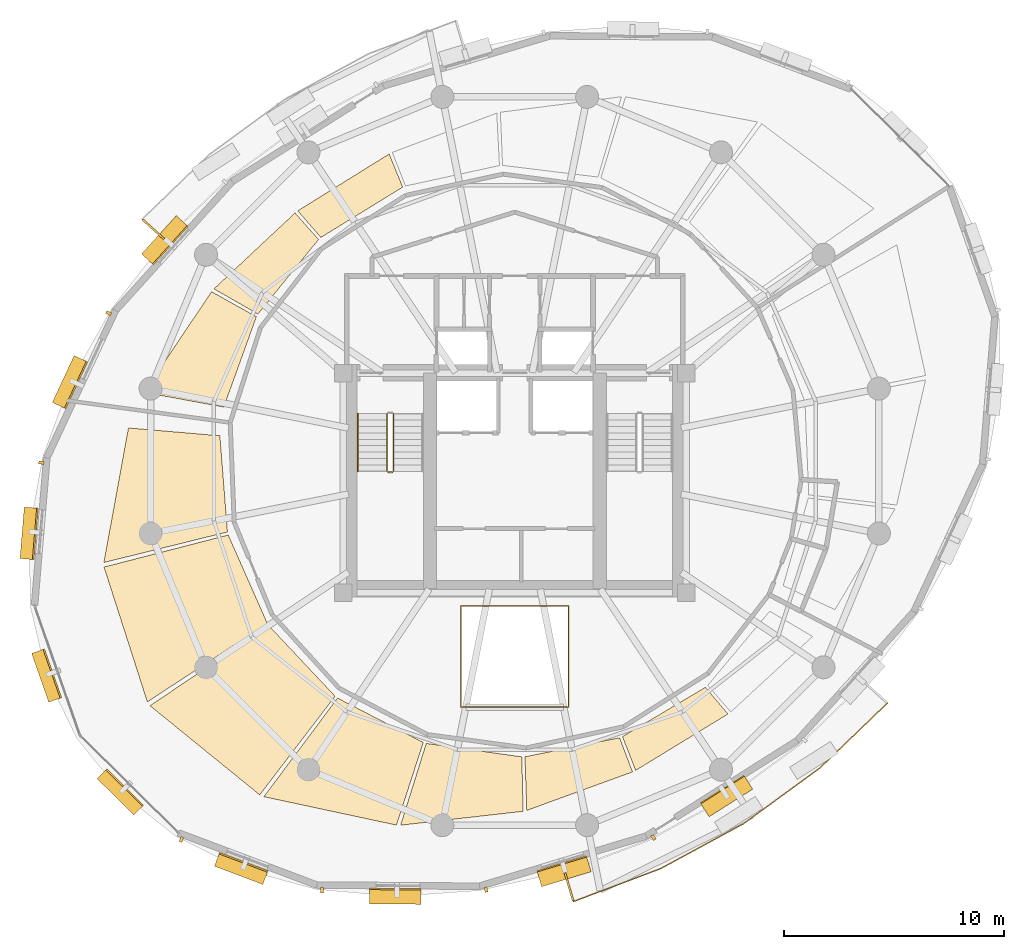
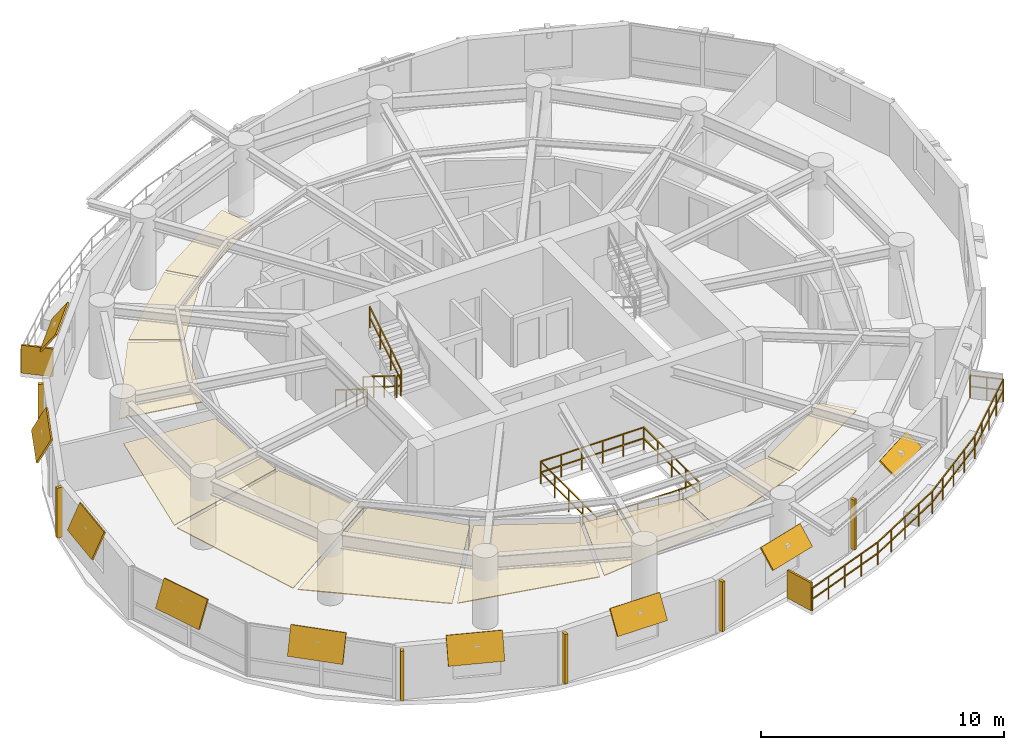
# One storey, part 11 of 12: 17 shading devices, 10 coverings, 6 railings.
"""IFC4 building model written with IfcOpenShell, lengths in metres."""

from ifc_helpers import new_model, si_unit, direction, frame, origin, origin_2d, place, context, subcontext, project, spatial, polyline, rectangle, outline, extrude, material, layer, layer_set, type_object, element, save


model = new_model("IFC4")

# Units and contexts
model_context = context("Model", 3, precision=1e-05, world=origin(), true_north=direction((0.0, 1.0)))
body_context = subcontext(model_context, "Body", "Model", "MODEL_VIEW")
ifc_project = project(units=[si_unit("LENGTHUNIT", "METRE"), si_unit("AREAUNIT", "SQUARE_METRE"), si_unit("VOLUMEUNIT", "CUBIC_METRE"), si_unit("PLANEANGLEUNIT", "RADIAN"), si_unit("MASSUNIT", "GRAM", prefix="KILO"), si_unit("THERMODYNAMICTEMPERATUREUNIT", "KELVIN"), si_unit("POWERUNIT", "WATT")], contexts=[model_context])

# Site, building, storey
site_placement = place(None, origin())
site = spatial("IfcSite", under=ifc_project, at=site_placement, CompositionType="ELEMENT")
building_placement = place(site_placement, origin())
building = spatial("IfcBuilding", under=site, at=building_placement, Name="Ocrelia Relay Tower", CompositionType="ELEMENT")
storey_placement = place(building_placement, frame((0.0, 0.0, 170.0)))
storey = spatial("IfcBuildingStorey", under=building, at=storey_placement, Name="L40", CompositionType="ELEMENT", Elevation=170.0)

# Coverings
ifc_material_1 = material(Name="Mineral-fiber acoustic ceiling tile", Category="gypsum")
ifc_layer_1 = layer(ifc_material_1, 0.0400390625, Name="Mineral-fiber acoustic ceiling tile")
ifc_layer_set_1 = layer_set([ifc_layer_1], Name="Mineral-fiber acoustic ceiling tile")
covering_type_1 = type_object("IfcCoveringType", Name="COV-CEIL-ACOUSTIC", PredefinedType="CEILING", material=ifc_layer_set_1)
covering_1_placement = place(storey_placement, frame((0.0, 0.0, 2.3798828125)))
element("IfcCovering", 1, at=covering_1_placement, inside=storey, type_object=covering_type_1, Name="L40 Cloud Engineering Workspace Suspended Ceiling 5", PredefinedType="CEILING", context=body_context, shape_type="SweptSolid", body=[
    extrude(outline(polyline([(28.901123046875, 38.4677734375), (28.28369140625, 39.977294921875), (24.12451171875, 37.38916015625), (25.175537109375, 36.177001953125), (28.901123046875, 38.4677734375)])), origin(), (0.0, 0.0, 1.0), 0.0400390625),
])
covering_2_placement = place(storey_placement, frame((0.0, 0.0, 2.3798828125)))
element("IfcCovering", 2, at=covering_2_placement, inside=storey, type_object=covering_type_1, Name="L40 Cloud Engineering Workspace Suspended Ceiling 6", PredefinedType="CEILING", context=body_context, shape_type="SweptSolid", body=[
    extrude(outline(polyline([(25.069580078125, 36.083984375), (23.998779296875, 37.293212890625), (20.30859375, 33.83642578125), (22.3095703125, 32.69140625), (25.069580078125, 36.083984375)])), origin(), (0.0, 0.0, 1.0), 0.0400390625),
])
covering_3_placement = place(storey_placement, frame((0.0, 0.0, 2.3798828125)))
element("IfcCovering", 3, at=covering_3_placement, inside=storey, type_object=covering_type_1, Name="L40 Cloud Engineering Workspace Suspended Ceiling 7", PredefinedType="CEILING", context=body_context, shape_type="SweptSolid", body=[
    extrude(outline(polyline([(22.239990234375, 32.568603515625), (20.1982421875, 33.708984375), (17.13134765625, 29.12646484375), (20.755615234375, 28.45458984375), (22.239990234375, 32.568603515625)])), origin(), (0.0, 0.0, 1.0), 0.0400390625),
])
ifc_material_2 = material(Name="Cleanroom metal-pan acoustic ceiling", Category="aluminium")
ifc_layer_2 = layer(ifc_material_2, 0.0400390625, Name="Cleanroom metal-pan acoustic ceiling")
ifc_layer_set_2 = layer_set([ifc_layer_2], Name="Cleanroom metal-pan acoustic ceiling")
covering_type_2 = type_object("IfcCoveringType", Name="COV-CEIL-CLEAN", PredefinedType="CEILING", material=ifc_layer_set_2)
covering_4_placement = place(storey_placement, frame((0.0, 0.0, 2.3798828125)))
element("IfcCovering", 4, at=covering_4_placement, inside=storey, type_object=covering_type_2, Name="L40 Protocol Simulation Studio Suspended Ceiling 1", PredefinedType="CEILING", context=body_context, shape_type="SweptSolid", body=[
    extrude(outline(polyline([(20.5791015625, 27.150634765625), (16.41650390625, 27.50732421875), (15.296630859375, 21.3798828125), (20.923095703125, 22.769775390625), (20.5791015625, 27.150634765625)])), origin(), (0.0, 0.0, 1.0), 0.0400390625),
])
covering_5_placement = place(storey_placement, frame((0.0, 0.0, 2.3798828125)))
element("IfcCovering", 5, at=covering_5_placement, inside=storey, type_object=covering_type_2, Name="L40 Protocol Simulation Studio Suspended Ceiling 2", PredefinedType="CEILING", context=body_context, shape_type="SweptSolid", body=[
    extrude(outline(polyline([(20.95751953125, 22.633056640625), (15.30419921875, 21.173583984375), (17.276123046875, 15.035400390625), (22.735107421875, 18.614501953125), (20.95751953125, 22.633056640625)])), origin(), (0.0, 0.0, 1.0), 0.0400390625),
])
covering_6_placement = place(storey_placement, frame((0.0, 0.0, 2.3798828125)))
element("IfcCovering", 6, at=covering_6_placement, inside=storey, type_object=covering_type_2, Name="L40 Protocol Simulation Studio Suspended Ceiling 3", PredefinedType="CEILING", context=body_context, shape_type="SweptSolid", body=[
    extrude(outline(polyline([(22.813232421875, 18.496826171875), (17.394775390625, 14.86279296875), (22.391845703125, 10.803466796875), (25.8232421875, 15.295654296875), (22.813232421875, 18.496826171875)])), origin(), (0.0, 0.0, 1.0), 0.0400390625),
])
covering_7_placement = place(storey_placement, frame((0.0, 0.0, 2.3798828125)))
element("IfcCovering", 7, at=covering_7_placement, inside=storey, type_object=covering_type_2, Name="L40 Protocol Simulation Studio Suspended Ceiling 4", PredefinedType="CEILING", context=body_context, shape_type="SweptSolid", body=[
    extrude(outline(polyline([(25.935791015625, 15.210693359375), (22.57958984375, 10.72021484375), (28.615234375, 9.427490234375), (29.83740234375, 13.189208984375), (25.935791015625, 15.210693359375)])), origin(), (0.0, 0.0, 1.0), 0.0400390625),
])
covering_8_placement = place(storey_placement, frame((0.0, 0.0, 2.3798828125)))
element("IfcCovering", 8, at=covering_8_placement, inside=storey, type_object=covering_type_2, Name="L40 Protocol Simulation Studio Suspended Ceiling 5", PredefinedType="CEILING", context=body_context, shape_type="SweptSolid", body=[
    extrude(outline(polyline([(29.971923828125, 13.146484375), (28.804931640625, 9.422607421875), (34.3828125, 10.0546875), (34.3232421875, 12.533935546875), (29.971923828125, 13.146484375)])), origin(), (0.0, 0.0, 1.0), 0.0400390625),
])
covering_9_placement = place(storey_placement, frame((0.0, 0.0, 2.3798828125)))
element("IfcCovering", 9, at=covering_9_placement, inside=storey, type_object=covering_type_2, Name="L40 Protocol Simulation Studio Suspended Ceiling 6", PredefinedType="CEILING", context=body_context, shape_type="SweptSolid", body=[
    extrude(outline(polyline([(34.464111328125, 12.5380859375), (34.54833984375, 10.095703125), (39.361572265625, 11.848388671875), (38.772216796875, 13.40380859375), (34.464111328125, 12.5380859375)])), origin(), (0.0, 0.0, 1.0), 0.0400390625),
])
covering_10_placement = place(storey_placement, frame((0.0, 0.0, 2.3798828125)))
element("IfcCovering", 10, at=covering_10_placement, inside=storey, type_object=covering_type_2, Name="L40 Protocol Simulation Studio Suspended Ceiling 7", PredefinedType="CEILING", context=body_context, shape_type="SweptSolid", body=[
    extrude(outline(polyline([(38.90380859375, 13.454345703125), (39.504638671875, 11.917724609375), (43.706298828125, 14.483642578125), (42.680908203125, 15.7001953125), (38.90380859375, 13.454345703125)])), origin(), (0.0, 0.0, 1.0), 0.0400390625),
])

# Railings
ifc_material_3 = material(Name="Steel S355 balustrade", Category="steel")
railing_type_1 = type_object("IfcRailingType", Name="RL-EXT-GUARD-1150", PredefinedType="GUARDRAIL", material=ifc_material_3)
railing_1_placement = place(storey_placement, frame((49.93359375, 15.91650390625, 0.0)))
element("IfcRailing", 11, at=railing_1_placement, inside=storey, type_object=railing_type_1, Name="L40 Loggia Balcony Guard Rail B2", PredefinedType="GUARDRAIL", context=body_context, shape_type="SweptSolid", body=[
    extrude(rectangle(XDim=0.048095703125, YDim=0.048095703125, at=origin_2d()), frame((0.0, 0.0, 1.1259765625), z_axis=(0.7424398704, -0.669912709866, 0.0), x_axis=(0.669912709866, 0.7424398704, 0.0)), (0.0, 0.0, 1.0), 1.3935546875),
    extrude(rectangle(XDim=0.048095703125, YDim=0.048095703125, at=origin_2d()), frame((0.0, 0.0, 0.574951171875), z_axis=(0.7424398704, -0.669912709866, 0.0), x_axis=(0.669912709866, 0.7424398704, 0.0)), (0.0, 0.0, 1.0), 1.3935546875),
    extrude(rectangle(XDim=0.048095703125, YDim=0.048095703125, at=origin_2d()), frame((1.03466796875, -0.93359375, 1.1259765625), z_axis=(-0.720466778225, -0.693489453037, 0.0), x_axis=(0.693489453037, -0.720466778225, 0.0)), (0.0, 0.0, 1.0), 2.126708984375),
    extrude(rectangle(XDim=0.048095703125, YDim=0.048095703125, at=origin_2d()), frame((1.03466796875, -0.93359375, 0.574951171875), z_axis=(-0.720466778225, -0.693489453037, 0.0), x_axis=(0.693489453037, -0.720466778225, 0.0)), (0.0, 0.0, 1.0), 2.126708984375),
    extrude(rectangle(XDim=0.048095703125, YDim=0.048095703125, at=origin_2d()), frame((-0.49755859375, -2.408447265625, 1.1259765625), z_axis=(-0.720411562266, -0.693546812374, 0.0), x_axis=(0.693546812374, -0.720411562266, 0.0)), (0.0, 0.0, 1.0), 2.12646484375),
    extrude(rectangle(XDim=0.048095703125, YDim=0.048095703125, at=origin_2d()), frame((-0.49755859375, -2.408447265625, 0.574951171875), z_axis=(-0.720411562266, -0.693546812374, 0.0), x_axis=(0.693546812374, -0.720411562266, 0.0)), (0.0, 0.0, 1.0), 2.12646484375),
    extrude(rectangle(XDim=0.048095703125, YDim=0.048095703125, at=origin_2d()), frame((-2.029541015625, -3.88330078125, 1.1259765625), z_axis=(-0.807567975963, -0.589774502839, 0.0), x_axis=(0.589774502839, -0.807567975963, 0.0)), (0.0, 0.0, 1.0), 4.298828125),
    extrude(rectangle(XDim=0.048095703125, YDim=0.048095703125, at=origin_2d()), frame((-2.029541015625, -3.88330078125, 0.574951171875), z_axis=(-0.807567975963, -0.589774502839, 0.0), x_axis=(0.589774502839, -0.807567975963, 0.0)), (0.0, 0.0, 1.0), 4.298828125),
    extrude(rectangle(XDim=0.048095703125, YDim=0.048095703125, at=origin_2d()), frame((-5.501220703125, -6.418701171875, 1.1259765625), z_axis=(-0.879138325849, -0.476566683711, 0.0), x_axis=(0.476566683711, -0.879138325849, 0.0)), (0.0, 0.0, 1.0), 4.299072265625),
    extrude(rectangle(XDim=0.048095703125, YDim=0.048095703125, at=origin_2d()), frame((-5.501220703125, -6.418701171875, 0.574951171875), z_axis=(-0.879138325849, -0.476566683711, 0.0), x_axis=(0.476566683711, -0.879138325849, 0.0)), (0.0, 0.0, 1.0), 4.299072265625),
    extrude(rectangle(XDim=0.048095703125, YDim=0.048095703125, at=origin_2d()), frame((-9.28076171875, -8.467529296875, 1.1259765625), z_axis=(-0.935529433223, -0.353248750279, 0.0), x_axis=(0.353248750279, -0.935529433223, 0.0)), (0.0, 0.0, 1.0), 2.126708984375),
    extrude(rectangle(XDim=0.048095703125, YDim=0.048095703125, at=origin_2d()), frame((-9.28076171875, -8.467529296875, 0.574951171875), z_axis=(-0.935529433223, -0.353248750279, 0.0), x_axis=(0.353248750279, -0.935529433223, 0.0)), (0.0, 0.0, 1.0), 2.126708984375),
    extrude(rectangle(XDim=0.048095703125, YDim=0.048095703125, at=origin_2d()), frame((-11.270263671875, -9.21875, 1.1259765625), z_axis=(-0.935529433223, -0.353248750279, 0.0), x_axis=(0.353248750279, -0.935529433223, 0.0)), (0.0, 0.0, 1.0), 2.126708984375),
    extrude(rectangle(XDim=0.048095703125, YDim=0.048095703125, at=origin_2d()), frame((-11.270263671875, -9.21875, 0.574951171875), z_axis=(-0.935529433223, -0.353248750279, 0.0), x_axis=(0.353248750279, -0.935529433223, 0.0)), (0.0, 0.0, 1.0), 2.126708984375),
    extrude(rectangle(XDim=0.048095703125, YDim=0.048095703125, at=origin_2d()), frame((-13.259765625, -9.969970703125, 1.1259765625), z_axis=(-0.286640544944, 0.958038202784, 0.0), x_axis=(-0.958038202784, -0.286640544944, 0.0)), (0.0, 0.0, 1.0), 1.393310546875),
    extrude(rectangle(XDim=0.048095703125, YDim=0.048095703125, at=origin_2d()), frame((-13.259765625, -9.969970703125, 0.574951171875), z_axis=(-0.286640544944, 0.958038202784, 0.0), x_axis=(-0.958038202784, -0.286640544944, 0.0)), (0.0, 0.0, 1.0), 1.393310546875),
    extrude(rectangle(XDim=0.0419921875, YDim=0.0419921875, at=origin_2d()), origin(), (0.0, 0.0, 1.0), 1.101806640625),
    extrude(rectangle(XDim=0.0419921875, YDim=0.0419921875, at=origin_2d()), frame((0.517333984375, -0.466796875, 0.0)), (0.0, 0.0, 1.0), 1.101806640625),
    extrude(rectangle(XDim=0.0419921875, YDim=0.0419921875, at=origin_2d()), frame((1.03466796875, -0.93359375, 0.0)), (0.0, 0.0, 1.0), 1.101806640625),
    extrude(rectangle(XDim=0.0419921875, YDim=0.0419921875, at=origin_2d()), frame((0.2685546875, -1.6708984375, 0.0)), (0.0, 0.0, 1.0), 1.101806640625),
    extrude(rectangle(XDim=0.0419921875, YDim=0.0419921875, at=origin_2d()), frame((-0.49755859375, -2.408447265625, 0.0)), (0.0, 0.0, 1.0), 1.101806640625),
    extrude(rectangle(XDim=0.0419921875, YDim=0.0419921875, at=origin_2d()), frame((-1.263671875, -3.14599609375, 0.0)), (0.0, 0.0, 1.0), 1.101806640625),
    extrude(rectangle(XDim=0.0419921875, YDim=0.0419921875, at=origin_2d()), frame((-2.029541015625, -3.88330078125, 0.0)), (0.0, 0.0, 1.0), 1.101806640625),
    extrude(rectangle(XDim=0.0419921875, YDim=0.0419921875, at=origin_2d()), frame((-2.8974609375, -4.51708984375, 0.0)), (0.0, 0.0, 1.0), 1.101806640625),
    extrude(rectangle(XDim=0.0419921875, YDim=0.0419921875, at=origin_2d()), frame((-3.765380859375, -5.15087890625, 0.0)), (0.0, 0.0, 1.0), 1.101806640625),
    extrude(rectangle(XDim=0.0419921875, YDim=0.0419921875, at=origin_2d()), frame((-4.63330078125, -5.784912109375, 0.0)), (0.0, 0.0, 1.0), 1.101806640625),
    extrude(rectangle(XDim=0.0419921875, YDim=0.0419921875, at=origin_2d()), frame((-5.501220703125, -6.418701171875, 0.0)), (0.0, 0.0, 1.0), 1.101806640625),
    extrude(rectangle(XDim=0.0419921875, YDim=0.0419921875, at=origin_2d()), frame((-6.446044921875, -6.930908203125, 0.0)), (0.0, 0.0, 1.0), 1.101806640625),
    extrude(rectangle(XDim=0.0419921875, YDim=0.0419921875, at=origin_2d()), frame((-7.39111328125, -7.443115234375, 0.0)), (0.0, 0.0, 1.0), 1.101806640625),
    extrude(rectangle(XDim=0.0419921875, YDim=0.0419921875, at=origin_2d()), frame((-8.3359375, -7.955322265625, 0.0)), (0.0, 0.0, 1.0), 1.101806640625),
    extrude(rectangle(XDim=0.0419921875, YDim=0.0419921875, at=origin_2d()), frame((-9.28076171875, -8.467529296875, 0.0)), (0.0, 0.0, 1.0), 1.101806640625),
    extrude(rectangle(XDim=0.0419921875, YDim=0.0419921875, at=origin_2d()), frame((-10.275390625, -8.84326171875, 0.0)), (0.0, 0.0, 1.0), 1.101806640625),
    extrude(rectangle(XDim=0.0419921875, YDim=0.0419921875, at=origin_2d()), frame((-11.270263671875, -9.21875, 0.0)), (0.0, 0.0, 1.0), 1.101806640625),
    extrude(rectangle(XDim=0.0419921875, YDim=0.0419921875, at=origin_2d()), frame((-12.26513671875, -9.59423828125, 0.0)), (0.0, 0.0, 1.0), 1.101806640625),
    extrude(rectangle(XDim=0.0419921875, YDim=0.0419921875, at=origin_2d()), frame((-13.259765625, -9.969970703125, 0.0)), (0.0, 0.0, 1.0), 1.101806640625),
    extrude(rectangle(XDim=0.0419921875, YDim=0.0419921875, at=origin_2d()), frame((-13.45947265625, -9.302490234375, 0.0)), (0.0, 0.0, 1.0), 1.101806640625),
    extrude(rectangle(XDim=0.0419921875, YDim=0.0419921875, at=origin_2d()), frame((-13.6591796875, -8.635009765625, 0.0)), (0.0, 0.0, 1.0), 1.101806640625),
])
ifc_material_4 = material(Name="Steel S355 atrium balustrade", Category="steel")
railing_type_2 = type_object("IfcRailingType", Name="RL-INT-GUARD-115", PredefinedType="GUARDRAIL", material=ifc_material_4)
railing_2_placement = place(storey_placement, frame((31.550048828125, 14.800048828125, 0.0)))
element("IfcRailing", 12, at=railing_2_placement, inside=storey, type_object=railing_type_2, Name="L40 Multi-Zone Interior Atrium Guard", PredefinedType="GUARDRAIL", context=body_context, shape_type="SweptSolid", body=[
    extrude(rectangle(XDim=0.048095703125, YDim=0.048095703125, at=origin_2d()), frame((0.0, 0.0, 1.1259765625), z_axis=(1.0, 0.0, 0.0), x_axis=(0.0, 1.0, 0.0)), (0.0, 0.0, 1.0), 4.89990234375),
    extrude(rectangle(XDim=0.048095703125, YDim=0.048095703125, at=origin_2d()), frame((0.0, 0.0, 0.574951171875), z_axis=(1.0, 0.0, 0.0), x_axis=(0.0, 1.0, 0.0)), (0.0, 0.0, 1.0), 4.89990234375),
    extrude(rectangle(XDim=0.048095703125, YDim=0.048095703125, at=origin_2d()), frame((4.89990234375, 0.0, 1.1259765625), z_axis=(0.0, 1.0, 0.0), x_axis=(-1.0, 0.0, 0.0)), (0.0, 0.0, 1.0), 4.599853515625),
    extrude(rectangle(XDim=0.048095703125, YDim=0.048095703125, at=origin_2d()), frame((4.89990234375, 0.0, 0.574951171875), z_axis=(0.0, 1.0, 0.0), x_axis=(-1.0, 0.0, 0.0)), (0.0, 0.0, 1.0), 4.599853515625),
    extrude(rectangle(XDim=0.048095703125, YDim=0.048095703125, at=origin_2d()), frame((4.89990234375, 4.599853515625, 1.1259765625), z_axis=(-1.0, 0.0, 0.0), x_axis=(0.0, -1.0, 0.0)), (0.0, 0.0, 1.0), 4.89990234375),
    extrude(rectangle(XDim=0.048095703125, YDim=0.048095703125, at=origin_2d()), frame((4.89990234375, 4.599853515625, 0.574951171875), z_axis=(-1.0, 0.0, 0.0), x_axis=(0.0, -1.0, 0.0)), (0.0, 0.0, 1.0), 4.89990234375),
    extrude(rectangle(XDim=0.048095703125, YDim=0.048095703125, at=origin_2d()), frame((0.0, 4.599853515625, 1.1259765625), z_axis=(0.0, -1.0, 0.0), x_axis=(1.0, 0.0, 0.0)), (0.0, 0.0, 1.0), 4.599853515625),
    extrude(rectangle(XDim=0.048095703125, YDim=0.048095703125, at=origin_2d()), frame((0.0, 4.599853515625, 0.574951171875), z_axis=(0.0, -1.0, 0.0), x_axis=(1.0, 0.0, 0.0)), (0.0, 0.0, 1.0), 4.599853515625),
    extrude(rectangle(XDim=0.0419921875, YDim=0.0419921875, at=origin_2d()), origin(), (0.0, 0.0, 1.0), 1.101806640625),
    extrude(rectangle(XDim=0.0419921875, YDim=0.0419921875, at=origin_2d()), frame((0.97998046875, 0.0, 0.0)), (0.0, 0.0, 1.0), 1.101806640625),
    extrude(rectangle(XDim=0.0419921875, YDim=0.0419921875, at=origin_2d()), frame((1.9599609375, 0.0, 0.0)), (0.0, 0.0, 1.0), 1.101806640625),
    extrude(rectangle(XDim=0.0419921875, YDim=0.0419921875, at=origin_2d()), frame((2.93994140625, 0.0, 0.0)), (0.0, 0.0, 1.0), 1.101806640625),
    extrude(rectangle(XDim=0.0419921875, YDim=0.0419921875, at=origin_2d()), frame((3.919921875, 0.0, 0.0)), (0.0, 0.0, 1.0), 1.101806640625),
    extrude(rectangle(XDim=0.0419921875, YDim=0.0419921875, at=origin_2d()), frame((4.89990234375, 0.0, 0.0)), (0.0, 0.0, 1.0), 1.101806640625),
    extrude(rectangle(XDim=0.0419921875, YDim=0.0419921875, at=origin_2d()), frame((4.89990234375, 1.14990234375, 0.0)), (0.0, 0.0, 1.0), 1.101806640625),
    extrude(rectangle(XDim=0.0419921875, YDim=0.0419921875, at=origin_2d()), frame((4.89990234375, 2.2998046875, 0.0)), (0.0, 0.0, 1.0), 1.101806640625),
    extrude(rectangle(XDim=0.0419921875, YDim=0.0419921875, at=origin_2d()), frame((4.89990234375, 3.449951171875, 0.0)), (0.0, 0.0, 1.0), 1.101806640625),
    extrude(rectangle(XDim=0.0419921875, YDim=0.0419921875, at=origin_2d()), frame((4.89990234375, 4.599853515625, 0.0)), (0.0, 0.0, 1.0), 1.101806640625),
    extrude(rectangle(XDim=0.0419921875, YDim=0.0419921875, at=origin_2d()), frame((3.919921875, 4.599853515625, 0.0)), (0.0, 0.0, 1.0), 1.101806640625),
    extrude(rectangle(XDim=0.0419921875, YDim=0.0419921875, at=origin_2d()), frame((2.93994140625, 4.599853515625, 0.0)), (0.0, 0.0, 1.0), 1.101806640625),
    extrude(rectangle(XDim=0.0419921875, YDim=0.0419921875, at=origin_2d()), frame((1.9599609375, 4.599853515625, 0.0)), (0.0, 0.0, 1.0), 1.101806640625),
    extrude(rectangle(XDim=0.0419921875, YDim=0.0419921875, at=origin_2d()), frame((0.97998046875, 4.599853515625, 0.0)), (0.0, 0.0, 1.0), 1.101806640625),
    extrude(rectangle(XDim=0.0419921875, YDim=0.0419921875, at=origin_2d()), frame((0.0, 4.599853515625, 0.0)), (0.0, 0.0, 1.0), 1.101806640625),
    extrude(rectangle(XDim=0.0419921875, YDim=0.0419921875, at=origin_2d()), frame((0.0, 3.449951171875, 0.0)), (0.0, 0.0, 1.0), 1.101806640625),
    extrude(rectangle(XDim=0.0419921875, YDim=0.0419921875, at=origin_2d()), frame((0.0, 2.2998046875, 0.0)), (0.0, 0.0, 1.0), 1.101806640625),
    extrude(rectangle(XDim=0.0419921875, YDim=0.0419921875, at=origin_2d()), frame((0.0, 1.14990234375, 0.0)), (0.0, 0.0, 1.0), 1.101806640625),
])
railing_type_3 = type_object("IfcRailingType", Name="RL-STAIR-GUARD", PredefinedType="GUARDRAIL", material=ifc_material_3)
railing_3_placement = place(storey_placement, frame((28.179931640625, 28.14990234375, 0.179931640625)))
element("IfcRailing", 13, at=railing_3_placement, inside=storey, type_object=railing_type_3, Name="L40 ST1 stair guard 1", PredefinedType="GUARDRAIL", context=body_context, shape_type="SweptSolid", body=[
    extrude(rectangle(XDim=0.048095703125, YDim=0.048095703125, at=origin_2d()), frame((0.0, 0.0, 1.076171875), z_axis=(0.0, -0.849610693518, 0.52741034258), x_axis=(1.0, 0.0, 0.0)), (0.0, 0.0, 1.0), 3.07177734375),
    extrude(rectangle(XDim=0.048095703125, YDim=0.048095703125, at=origin_2d()), frame((0.0, 0.0, 0.550048828125), z_axis=(0.0, -0.849610693518, 0.52741034258), x_axis=(1.0, 0.0, 0.0)), (0.0, 0.0, 1.0), 3.07177734375),
    extrude(rectangle(XDim=0.0419921875, YDim=0.0419921875, at=origin_2d()), origin(), (0.0, 0.0, 1.0), 1.052001953125),
    extrude(rectangle(XDim=0.0419921875, YDim=0.0419921875, at=origin_2d()), frame((0.0, -0.869873046875, 0.5400390625)), (0.0, 0.0, 1.0), 1.052001953125),
    extrude(rectangle(XDim=0.0419921875, YDim=0.0419921875, at=origin_2d()), frame((0.0, -1.739990234375, 1.080078125)), (0.0, 0.0, 1.0), 1.052001953125),
    extrude(rectangle(XDim=0.0419921875, YDim=0.0419921875, at=origin_2d()), frame((0.0, -2.60986328125, 1.6201171875)), (0.0, 0.0, 1.0), 1.052001953125),
])
railing_4_placement = place(storey_placement, frame((28.22998046875, 25.489990234375, 1.800048828125)))
element("IfcRailing", 14, at=railing_4_placement, inside=storey, type_object=railing_type_3, Name="L40 ST1 stair guard 2", PredefinedType="GUARDRAIL", context=body_context, shape_type="SweptSolid", body=[
    extrude(rectangle(XDim=0.048095703125, YDim=0.048095703125, at=origin_2d()), frame((0.0, 0.0, 1.076171875), z_axis=(1.0, 0.0, 0.0), x_axis=(0.0, 1.0, 0.0)), (0.0, 0.0, 1.0), 0.199951171875),
    extrude(rectangle(XDim=0.048095703125, YDim=0.048095703125, at=origin_2d()), frame((0.0, 0.0, 0.550048828125), z_axis=(1.0, 0.0, 0.0), x_axis=(0.0, 1.0, 0.0)), (0.0, 0.0, 1.0), 0.199951171875),
    extrude(rectangle(XDim=0.0419921875, YDim=0.0419921875, at=origin_2d()), origin(), (0.0, 0.0, 1.0), 1.052001953125),
    extrude(rectangle(XDim=0.0419921875, YDim=0.0419921875, at=origin_2d()), frame((0.199951171875, 0.0, 0.0)), (0.0, 0.0, 1.0), 1.052001953125),
])
railing_5_placement = place(storey_placement, frame((28.47998046875, 25.5400390625, 1.97998046875)))
element("IfcRailing", 15, at=railing_5_placement, inside=storey, type_object=railing_type_3, Name="L40 ST1 stair guard 3", PredefinedType="GUARDRAIL", context=body_context, shape_type="SweptSolid", body=[
    extrude(rectangle(XDim=0.048095703125, YDim=0.048095703125, at=origin_2d()), frame((0.0, 0.0, 1.076171875), z_axis=(0.0, 0.849610693518, 0.52741034258), x_axis=(-1.0, 0.0, 0.0)), (0.0, 0.0, 1.0), 3.07177734375),
    extrude(rectangle(XDim=0.048095703125, YDim=0.048095703125, at=origin_2d()), frame((0.0, 0.0, 0.550048828125), z_axis=(0.0, 0.849610693518, 0.52741034258), x_axis=(-1.0, 0.0, 0.0)), (0.0, 0.0, 1.0), 3.07177734375),
    extrude(rectangle(XDim=0.0419921875, YDim=0.0419921875, at=origin_2d()), origin(), (0.0, 0.0, 1.0), 1.052001953125),
    extrude(rectangle(XDim=0.0419921875, YDim=0.0419921875, at=origin_2d()), frame((0.0, 0.869873046875, 0.5400390625)), (0.0, 0.0, 1.0), 1.052001953125),
    extrude(rectangle(XDim=0.0419921875, YDim=0.0419921875, at=origin_2d()), frame((0.0, 1.739990234375, 1.080078125)), (0.0, 0.0, 1.0), 1.052001953125),
    extrude(rectangle(XDim=0.0419921875, YDim=0.0419921875, at=origin_2d()), frame((0.0, 2.60986328125, 1.6201171875)), (0.0, 0.0, 1.0), 1.052001953125),
])
ifc_material_5 = material(Name="Steel S355 tubular handrail", Category="steel")
railing_type_4 = type_object("IfcRailingType", Name="RL-STAIR-HAND", PredefinedType="HANDRAIL", material=ifc_material_5)
railing_6_placement = place(storey_placement, frame((26.860107421875, 28.14990234375, 0.179931640625)))
element("IfcRailing", 16, at=railing_6_placement, inside=storey, type_object=railing_type_4, Name="L40 ST1 stair handrail 1", PredefinedType="HANDRAIL", context=body_context, shape_type="SweptSolid", body=[
    extrude(rectangle(XDim=0.048095703125, YDim=0.048095703125, at=origin_2d()), frame((0.0, 0.0, 0.8759765625), z_axis=(0.0, -0.849610693518, 0.52741034258), x_axis=(1.0, 0.0, 0.0)), (0.0, 0.0, 1.0), 3.07177734375),
    extrude(rectangle(XDim=0.0419921875, YDim=0.0419921875, at=origin_2d()), origin(), (0.0, 0.0, 1.0), 0.851806640625),
    extrude(rectangle(XDim=0.0419921875, YDim=0.0419921875, at=origin_2d()), frame((0.0, -0.869873046875, 0.5400390625)), (0.0, 0.0, 1.0), 0.851806640625),
    extrude(rectangle(XDim=0.0419921875, YDim=0.0419921875, at=origin_2d()), frame((0.0, -1.739990234375, 1.080078125)), (0.0, 0.0, 1.0), 0.851806640625),
    extrude(rectangle(XDim=0.0419921875, YDim=0.0419921875, at=origin_2d()), frame((0.0, -2.60986328125, 1.6201171875)), (0.0, 0.0, 1.0), 0.851806640625),
])

# Shading devices
ifc_material_6 = material(Name="Perforated oxide terracotta solar screen", Category="masonry")
ifc_layer_3 = layer(ifc_material_6, 0.090087890625, Name="Perforated oxide terracotta solar screen")
ifc_layer_set_3 = layer_set([ifc_layer_3], Name="Perforated oxide terracotta solar screen")
shading_device_type_1 = type_object("IfcShadingDeviceType", Name="SH-BALC-SCREEN", PredefinedType="USERDEFINED", material=ifc_layer_set_3)
for number, where, z_axis, x_axis, name in (
    (17, (17.54931640625, 36.55029296875, 0.0), (0.0, 0.0, 1.0), (-0.742519334558, 0.66982463213, 0.0), "L40 Balcony Perforated Terracotta Screen B1-2"),
    (18, (36.47412109375, 6.614013671875, 0.0), (0.0, 0.0, 1.0), (0.286623584204, -0.958043277195, 0.0), "L40 Balcony Perforated Terracotta Screen B2-1"),
):
    element("IfcShadingDevice", number, at=place(storey_placement, frame(where, z_axis=z_axis, x_axis=x_axis)), inside=storey, type_object=shading_device_type_1, Name=name, ObjectType="SCREEN", PredefinedType="USERDEFINED", context=body_context, shape_type="SweptSolid", body=[
        extrude(rectangle(XDim=1.340087890625, YDim=0.090087890625, at=origin_2d()), origin(), (0.0, 0.0, 1.0), 1.39990234375),
    ])
ifc_material_7 = material(Name="Extruded oxide terracotta vertical baguette", Category="masonry")
shading_device_type_2 = type_object("IfcShadingDeviceType", Name="SH-TERR-BAGUETTE", PredefinedType="USERDEFINED", material=ifc_material_7)
for number, where, z_axis, x_axis, name in (
    (19, (15.51708984375, 32.73095703125, 0.080078125), (0.0, 0.0, 1.0), (-0.422693786677, -0.906272565349, 0.0), "L40 Oxide Terracotta Vertical Baguette 07"),
    (20, (12.450927734375, 25.9267578125, 0.080078125), (0.0, 0.0, 1.0), (-0.082698244637, -0.996574633599, 0.0), "L40 Oxide Terracotta Vertical Baguette 08"),
    (21, (18.82861328125, 8.775390625, 0.080078125), (0.0, 0.0, 1.0), (0.935712369431, -0.352763889443, 0.0), "L40 Oxide Terracotta Vertical Baguette 11"),
    (22, (25.23486328125, 6.46435546875, 0.080078125), (0.0, 0.0, 1.0), (0.999976235063, -0.006894150376, 0.0), "L40 Oxide Terracotta Vertical Baguette 12"),
    (23, (32.68994140625, 6.493896484375, 0.080078125), (0.0, 0.0, 1.0), (0.957615276523, 0.288050311872, 0.0), "L40 Oxide Terracotta Vertical Baguette 13"),
    (24, (40.310791015625, 8.8623046875, 0.080078125), (0.0, 0.0, 1.0), (0.845263388112, 0.534349889789, 0.0), "L40 Oxide Terracotta Vertical Baguette 14"),
):
    element("IfcShadingDevice", number, at=place(storey_placement, frame(where, z_axis=z_axis, x_axis=x_axis)), inside=storey, type_object=shading_device_type_2, Name=name, ObjectType="BAGUETTE", PredefinedType="USERDEFINED", context=body_context, shape_type="SweptSolid", body=[
        extrude(rectangle(XDim=0.139892578125, YDim=0.239990234375, at=origin_2d()), origin(), (0.0, 0.0, 1.0), 2.5),
    ])
ifc_material_8 = material(Name="Extruded oxide terracotta fin", Category="masonry")
ifc_layer_4 = layer(ifc_material_8, 0.080078125, Name="Extruded oxide terracotta fin")
ifc_layer_set_4 = layer_set([ifc_layer_4], Name="Extruded oxide terracotta fin")
shading_device_type_3 = type_object("IfcShadingDeviceType", Name="SH-VISOR-FIN-DEEP", PredefinedType="USERDEFINED", material=ifc_layer_set_4)
shading_device_1_placement = place(storey_placement, frame((18.099365234375, 36.02783203125, 2.47705078125), z_axis=(-0.607246065622, 0.549485424008, 0.573862339406), x_axis=(-0.670961878921, -0.741491845562, 0.0)))
element("IfcShadingDevice", 25, at=shading_device_1_placement, inside=storey, type_object=shading_device_type_3, Name="L40 Canted Terracotta Sun-Visor Fin 06", ObjectType="FIN", PredefinedType="USERDEFINED", context=body_context, shape_type="SweptSolid", body=[
    extrude(rectangle(XDim=2.35009765625, YDim=1.166015625, at=origin_2d()), origin(), (0.0, 0.0, 1.0), 0.080078125),
])
shading_device_2_placement = place(storey_placement, frame((13.785888671875, 29.574462890625, 2.48095703125), z_axis=(-0.797577223012, 0.37199728807, 0.474856389871), x_axis=(-0.422693786677, -0.906272565349, 0.0)))
element("IfcShadingDevice", 26, at=shading_device_2_placement, inside=storey, type_object=shading_device_type_3, Name="L40 Canted Terracotta Sun-Visor Fin 07", ObjectType="FIN", PredefinedType="USERDEFINED", context=body_context, shape_type="SweptSolid", body=[
    extrude(rectangle(XDim=2.35009765625, YDim=1.277099609375, at=origin_2d()), origin(), (0.0, 0.0, 1.0), 0.080078125),
])
shading_device_3_placement = place(storey_placement, frame((11.929931640625, 22.70458984375, 2.483154296875), z_axis=(-0.903276845181, 0.074956161836, 0.422460074755), x_axis=(-0.082698244637, -0.996574633599, 0.0)))
element("IfcShadingDevice", 27, at=shading_device_3_placement, inside=storey, type_object=shading_device_type_3, Name="L40 Canted Terracotta Sun-Visor Fin 08", ObjectType="FIN", PredefinedType="USERDEFINED", context=body_context, shape_type="SweptSolid", body=[
    extrude(rectangle(XDim=2.35009765625, YDim=1.3330078125, at=origin_2d()), origin(), (0.0, 0.0, 1.0), 0.080078125),
])
shading_device_4_placement = place(storey_placement, frame((12.726806640625, 16.248779296875, 2.483642578125), z_axis=(-0.862099392084, -0.302241528167, 0.406736643076), x_axis=(0.330844541602, -0.943685270253, 0.0)))
element("IfcShadingDevice", 28, at=shading_device_4_placement, inside=storey, type_object=shading_device_type_3, Name="L40 Canted Terracotta Sun-Visor Fin 09", ObjectType="FIN", PredefinedType="USERDEFINED", context=body_context, shape_type="SweptSolid", body=[
    extrude(rectangle(XDim=2.35009765625, YDim=1.35009765625, at=origin_2d()), origin(), (0.0, 0.0, 1.0), 0.080078125),
])
shading_device_5_placement = place(storey_placement, frame((16.0693359375, 10.968505859375, 2.483154296875), z_axis=(-0.638649499648, -0.644919267167, 0.419768931003), x_axis=(0.710552264425, -0.70364442691, 0.0)))
element("IfcShadingDevice", 29, at=shading_device_5_placement, inside=storey, type_object=shading_device_type_3, Name="L40 Canted Terracotta Sun-Visor Fin 10", ObjectType="FIN", PredefinedType="USERDEFINED", context=body_context, shape_type="SweptSolid", body=[
    extrude(rectangle(XDim=2.35009765625, YDim=1.3359375, at=origin_2d()), origin(), (0.0, 0.0, 1.0), 0.080078125),
])
shading_device_6_placement = place(storey_placement, frame((21.5625, 7.485595703125, 2.4814453125), z_axis=(-0.313019032669, -0.830288443634, 0.461129250378), x_axis=(0.935712369431, -0.352763889443, 0.0)))
element("IfcShadingDevice", 30, at=shading_device_6_placement, inside=storey, type_object=shading_device_type_3, Name="L40 Canted Terracotta Sun-Visor Fin 11", ObjectType="FIN", PredefinedType="USERDEFINED", context=body_context, shape_type="SweptSolid", body=[
    extrude(rectangle(XDim=2.35009765625, YDim=1.2919921875, at=origin_2d()), origin(), (0.0, 0.0, 1.0), 0.080078125),
])
shading_device_7_placement = place(storey_placement, frame((28.5634765625, 6.223388671875, 2.478515625), z_axis=(-0.005817052073, -0.843746294088, 0.536710679153), x_axis=(0.999976235063, -0.006894150376, 0.0)))
element("IfcShadingDevice", 31, at=shading_device_7_placement, inside=storey, type_object=shading_device_type_3, Name="L40 Canted Terracotta Sun-Visor Fin 12", ObjectType="FIN", PredefinedType="USERDEFINED", context=body_context, shape_type="SweptSolid", body=[
    extrude(rectangle(XDim=2.35009765625, YDim=1.208984375, at=origin_2d()), origin(), (0.0, 0.0, 1.0), 0.080078125),
])
ifc_layer_5 = layer(ifc_material_8, 0.080078125, Name="Extruded oxide terracotta fin")
ifc_layer_set_5 = layer_set([ifc_layer_5], Name="Extruded oxide terracotta fin")
shading_device_type_4 = type_object("IfcShadingDeviceType", Name="SH-VISOR-FIN-MED", PredefinedType="USERDEFINED", material=ifc_layer_set_5)
shading_device_8_placement = place(storey_placement, frame((36.235595703125, 7.358154296875, 2.473876953125), z_axis=(0.218937193953, -0.727850631947, 0.64984610692), x_axis=(0.957615276523, 0.288050311872, 0.0)))
element("IfcShadingDevice", 32, at=shading_device_8_placement, inside=storey, type_object=shading_device_type_4, Name="L40 Canted Terracotta Sun-Visor Fin 13", ObjectType="FIN", PredefinedType="USERDEFINED", context=body_context, shape_type="SweptSolid", body=[
    extrude(rectangle(XDim=2.35009765625, YDim=1.074951171875, at=origin_2d()), origin(), (0.0, 0.0, 1.0), 0.080078125),
])
shading_device_9_placement = place(storey_placement, frame((43.626220703125, 10.77294921875, 2.46875), z_axis=(0.33591476403, -0.531368036162, 0.777694851116), x_axis=(0.845263388112, 0.534349889789, 0.0)))
element("IfcShadingDevice", 33, at=shading_device_9_placement, inside=storey, type_object=shading_device_type_4, Name="L40 Canted Terracotta Sun-Visor Fin 14", ObjectType="FIN", PredefinedType="USERDEFINED", context=body_context, shape_type="SweptSolid", body=[
    extrude(rectangle(XDim=2.35009765625, YDim=0.89892578125, at=origin_2d()), origin(), (0.0, 0.0, 1.0), 0.080078125),
])

save(model, "model.ifc")
